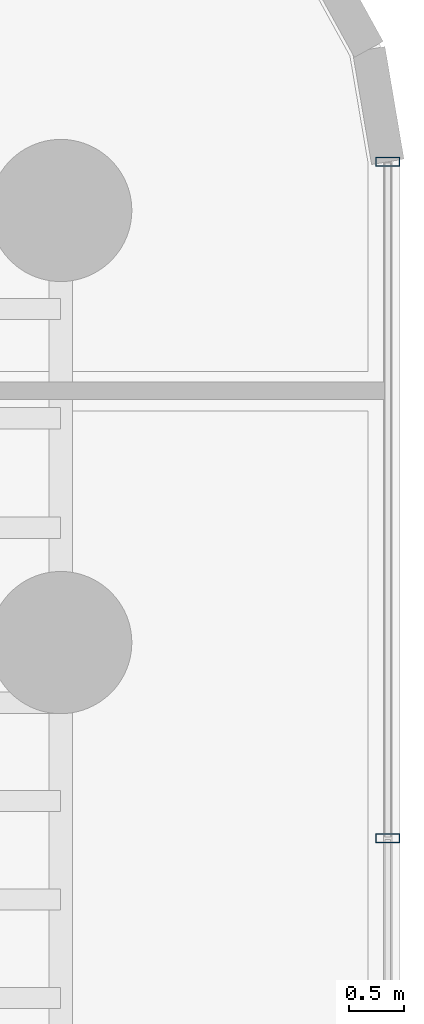
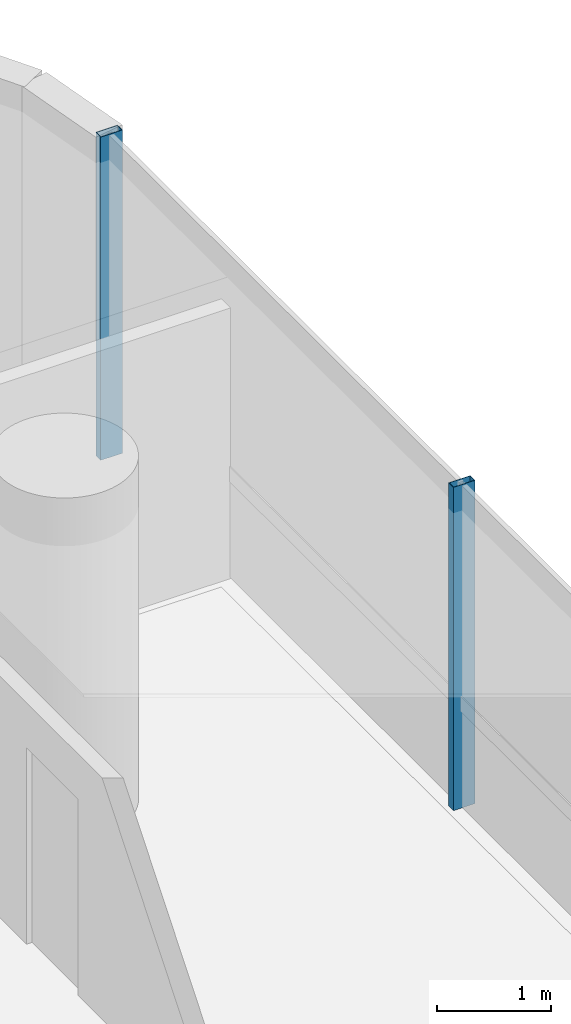
# One storey, part 26 of 38: 2 members, 1 element without a shape of its own.
"""IFC4 building model written with IfcOpenShell, lengths in metres."""

from ifc_helpers import new_model, si_unit, direction, frame, origin, origin_2d, place, context, subcontext, project, spatial, hollow_rectangle, extrude, source, transform, mapped, material, material_profile, profile_set, type_object, element, aggregate, save


model = new_model("IFC4")

# Units and contexts
model_context = context("Model", 3, precision=1e-05, world=origin(), true_north=direction((0.0, 1.0)))
body_context = subcontext(model_context, "Body", "Model", "MODEL_VIEW")
ifc_project = project(units=[si_unit("LENGTHUNIT", "METRE"), si_unit("AREAUNIT", "SQUARE_METRE"), si_unit("VOLUMEUNIT", "CUBIC_METRE"), si_unit("PLANEANGLEUNIT", "RADIAN"), si_unit("MASSUNIT", "GRAM", prefix="KILO")], contexts=[model_context])

# Site, building, storey
site_placement = place(None, origin())
site = spatial("IfcSite", under=ifc_project, at=site_placement, CompositionType="ELEMENT")
building_placement = place(site_placement, origin())
building = spatial("IfcBuilding", under=site, at=building_placement, Name="Valdorenza Pilgrim Sanctuary Tower", CompositionType="ELEMENT")
storey_placement = place(building_placement, frame((0.0, 0.0, 37.10009765625)))
storey = spatial("IfcBuildingStorey", under=building, at=storey_placement, Name="L08", CompositionType="ELEMENT", Elevation=37.10009765625)

# Curtain wall, members
ifc_material_1 = material(Name="Curtain-wall IGU glazing", Category="glass")
curtain_wall_type = type_object("IfcCurtainWallType", Name="CW-SYS-03", PredefinedType="NOTDEFINED", material=ifc_material_1)
curtain_wall_placement = place(storey_placement, origin())
curtain_wall = element("IfcCurtainWall", 1, at=curtain_wall_placement, inside=storey, type_object=curtain_wall_type, Name="L08 Curtain Wall CW-L08-1-21", PredefinedType="NOTDEFINED")
ifc_material_2 = material(Name="Anodised aluminium AW-6060", Category="aluminium")
ifc_material_profile = material_profile(ifc_material_2, hollow_rectangle(XDim=0.0849609375, YDim=0.219970703125, WallThickness=0.0048828125, at=origin_2d()), Name="ALU-M 220x85x5")
ifc_profile_set = profile_set([ifc_material_profile], Name="Anodised aluminium AW-6060")
member_type = type_object("IfcMemberType", Name="CW-MUL-03", PredefinedType="MULLION", material=ifc_profile_set)
shared_shape = source(origin(), body_context, "Body", "SweptSolid", [
    extrude(hollow_rectangle(XDim=0.0849609375, YDim=0.219970703125, WallThickness=0.0048828125, at=origin_2d()), origin(), (0.0, 0.0, 1.0), 3.4599609375),
])
member_1_placement = place(storey_placement, frame((31.389892578125, 13.945068359375, 0.0), z_axis=(0.0, 0.0, 1.0), x_axis=(0.0, -1.0, 0.0)))
member_1 = element("IfcMember", 2, at=member_1_placement, type_object=member_type, Name="CW-L08-1-21 Mullion 1", PredefinedType="MULLION", context=body_context, shape_type="MappedRepresentation", body=[
    mapped(shared_shape, transform((0.0, 0.0, 0.0), x_axis=(1.0, 0.0, 0.0), y_axis=(0.0, 1.0, 0.0), z_axis=(0.0, 0.0, 1.0), scale=1.0)),
])
member_2_placement = place(storey_placement, frame((31.389892578125, 7.761474609375, 0.0), z_axis=(0.0, 0.0, 1.0), x_axis=(0.0, -1.0, 0.0)))
member_2 = element("IfcMember", 3, at=member_2_placement, type_object=member_type, Name="CW-L08-1-21 Mullion 2", PredefinedType="MULLION", context=body_context, shape_type="MappedRepresentation", body=[
    mapped(shared_shape, transform((0.0, 0.0, 0.0), x_axis=(1.0, 0.0, 0.0), y_axis=(0.0, 1.0, 0.0), z_axis=(0.0, 0.0, 1.0), scale=1.0)),
])
aggregate(curtain_wall, [member_1, member_2])

save(model, "model.ifc")
